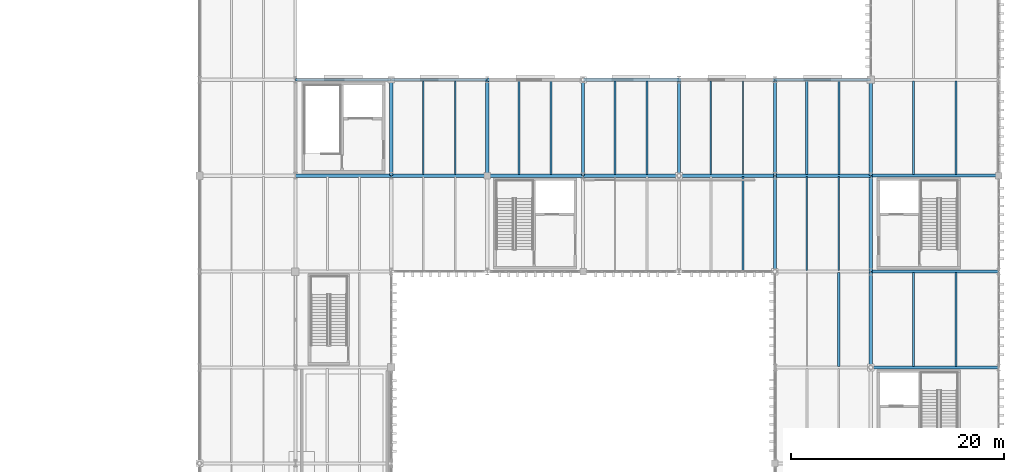
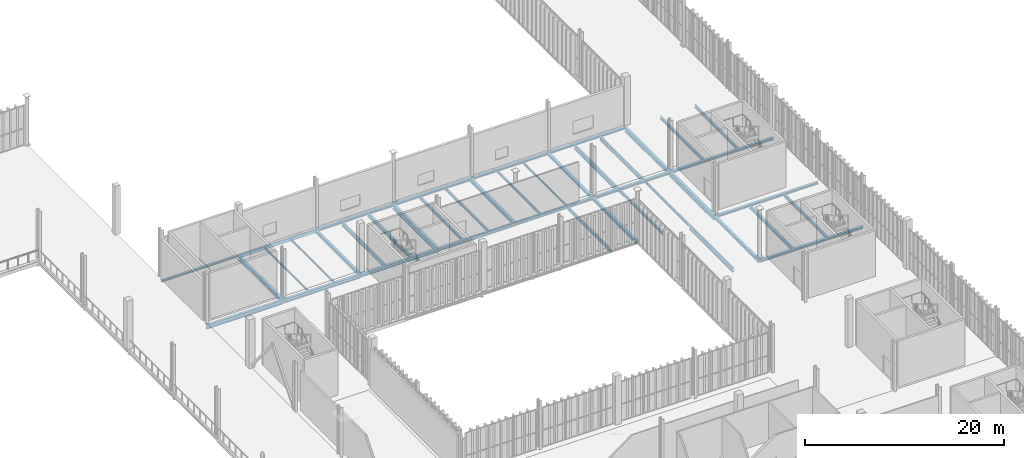
# One storey, part 121 of 211: 42 beams.
"""IFC4 building model written with IfcOpenShell, lengths in metres."""

from ifc_helpers import new_model, si_unit, direction, frame, origin, origin_2d, place, context, subcontext, project, spatial, hollow_rectangle, i_section, extrude, material, material_profile, profile_set, type_object, element, save


model = new_model("IFC4")

# Units and contexts
model_context = context("Model", 3, precision=1e-05, world=origin(), true_north=direction((0.0, 1.0)))
body_context = subcontext(model_context, "Body", "Model", "MODEL_VIEW")
ifc_project = project(units=[si_unit("LENGTHUNIT", "METRE"), si_unit("AREAUNIT", "SQUARE_METRE"), si_unit("VOLUMEUNIT", "CUBIC_METRE"), si_unit("PLANEANGLEUNIT", "RADIAN"), si_unit("MASSUNIT", "GRAM", prefix="KILO")], contexts=[model_context])

# Site, building, storey
site_placement = place(None, origin())
site = spatial("IfcSite", under=ifc_project, at=site_placement, CompositionType="ELEMENT")
building_placement = place(site_placement, origin())
building = spatial("IfcBuilding", under=site, at=building_placement, Name="Barlavento Convention Centre", CompositionType="ELEMENT")
storey_placement = place(building_placement, frame((0.0, 0.0, 6.0)))
storey = spatial("IfcBuildingStorey", under=building, at=storey_placement, Name="L01", CompositionType="ELEMENT", Elevation=6.0)

# Beams
ifc_material = material(Name="Steel S355", Category="steel")
ifc_material_profile_1 = material_profile(ifc_material, i_section(OverallWidth=0.110107421875, OverallDepth=0.219970703125, WebThickness=0.005859375, FlangeThickness=0.00927734375, FilletRadius=0.011962890625, at=origin_2d()), Name="IPE 220")
ifc_profile_set_1 = profile_set([ifc_material_profile_1], Name="Steel S355")
beam_type_1 = type_object("IfcBeamType", Name="STR-BM-JST-IPE220", PredefinedType="JOIST", material=ifc_profile_set_1)
beam_1_placement = place(storey_placement, frame((141.0, 99.094970703125, -0.469970703125), z_axis=(0.0, 1.0, 0.0), x_axis=(-1.0, 0.0, 0.0)))
element("IfcBeam", 1, at=beam_1_placement, inside=storey, type_object=beam_type_1, Name="L01 composite floor joist SJ10", PredefinedType="JOIST", context=body_context, shape_type="SweptSolid", body=[
    extrude(i_section(OverallWidth=0.110107421875, OverallDepth=0.219970703125, WebThickness=0.005859375, FlangeThickness=0.00927734375, FilletRadius=0.011962890625, at=origin_2d()), origin(), (0.0, 0.0, 1.0), 8.81005859375),
])
ifc_material_profile_2 = material_profile(ifc_material, i_section(OverallWidth=0.1201171875, OverallDepth=0.239990234375, WebThickness=0.006103515625, FlangeThickness=0.009765625, FilletRadius=0.014892578125, at=origin_2d()), Name="IPE 240")
ifc_profile_set_2 = profile_set([ifc_material_profile_2], Name="Steel S355")
beam_type_2 = type_object("IfcBeamType", Name="STR-BM-JST-IPE240", PredefinedType="JOIST", material=ifc_profile_set_2)
for number, where, z_axis, x_axis, name in (
    (2, (138.0, 99.094970703125, -0.47998046875), (0.0, 1.0, 0.0), (-1.0, 0.0, 0.0), "L01 composite floor joist SJ09"),
    (3, (168.0, 99.094970703125, -0.47998046875), (0.0, 1.0, 0.0), (-1.0, 0.0, 0.0), "L01 composite floor joist SJ09"),
):
    element("IfcBeam", number, at=place(storey_placement, frame(where, z_axis=z_axis, x_axis=x_axis)), inside=storey, type_object=beam_type_2, Name=name, PredefinedType="JOIST", context=body_context, shape_type="SweptSolid", body=[
        extrude(i_section(OverallWidth=0.1201171875, OverallDepth=0.239990234375, WebThickness=0.006103515625, FlangeThickness=0.009765625, FilletRadius=0.014892578125, at=origin_2d()), origin(), (0.0, 0.0, 1.0), 8.81005859375),
    ])
ifc_material_profile_3 = material_profile(ifc_material, i_section(OverallWidth=0.135009765625, OverallDepth=0.27001953125, WebThickness=0.006591796875, FlangeThickness=0.01025390625, FilletRadius=0.014892578125, at=origin_2d()), Name="IPE 270")
ifc_profile_set_3 = profile_set([ifc_material_profile_3], Name="Steel S355")
beam_type_3 = type_object("IfcBeamType", Name="STR-BM-JST-IPE270", PredefinedType="JOIST", material=ifc_profile_set_3)
beam_2_placement = place(storey_placement, frame((165.0, 99.094970703125, -0.4951171875), z_axis=(0.0, 1.0, 0.0), x_axis=(-1.0, 0.0, 0.0)))
element("IfcBeam", 4, at=beam_2_placement, inside=storey, type_object=beam_type_3, Name="L01 composite floor joist SJ08", PredefinedType="JOIST", context=body_context, shape_type="SweptSolid", body=[
    extrude(i_section(OverallWidth=0.135009765625, OverallDepth=0.27001953125, WebThickness=0.006591796875, FlangeThickness=0.01025390625, FilletRadius=0.014892578125, at=origin_2d()), origin(), (0.0, 0.0, 1.0), 8.81005859375),
])
ifc_material_profile_4 = material_profile(ifc_material, i_section(OverallWidth=0.14990234375, OverallDepth=0.300048828125, WebThickness=0.007080078125, FlangeThickness=0.0107421875, FilletRadius=0.014892578125, at=origin_2d()), Name="IPE 300")
ifc_profile_set_4 = profile_set([ifc_material_profile_4], Name="Steel S355")
beam_type_4 = type_object("IfcBeamType", Name="STR-BM-JST-IPE300", PredefinedType="JOIST", material=ifc_profile_set_4)
beam_3_placement = place(storey_placement, frame((177.0, 90.094970703125, -0.510009765625), z_axis=(0.0, 1.0, 0.0), x_axis=(-1.0, 0.0, 0.0)))
element("IfcBeam", 5, at=beam_3_placement, inside=storey, type_object=beam_type_4, Name="L01 composite floor joist SJ07", PredefinedType="JOIST", context=body_context, shape_type="SweptSolid", body=[
    extrude(i_section(OverallWidth=0.14990234375, OverallDepth=0.300048828125, WebThickness=0.007080078125, FlangeThickness=0.0107421875, FilletRadius=0.014892578125, at=origin_2d()), origin(), (0.0, 0.0, 1.0), 8.81005859375),
])
ifc_material_profile_5 = material_profile(ifc_material, i_section(OverallWidth=0.159912109375, OverallDepth=0.330078125, WebThickness=0.007568359375, FlangeThickness=0.011474609375, FilletRadius=0.01806640625, at=origin_2d()), Name="IPE 330")
ifc_profile_set_5 = profile_set([ifc_material_profile_5], Name="Steel S355")
beam_type_5 = type_object("IfcBeamType", Name="STR-BM-JST-IPE330", PredefinedType="JOIST", material=ifc_profile_set_5)
for number, where, z_axis, x_axis, name in (
    (6, (174.0, 90.094970703125, -0.52490234375), (0.0, 1.0, 0.0), (-1.0, 0.0, 0.0), "L01 composite floor joist SJ06"),
    (7, (159.0, 99.094970703125, -0.52490234375), (0.0, 1.0, 0.0), (-1.0, 0.0, 0.0), "L01 composite floor joist SJ06"),
):
    element("IfcBeam", number, at=place(storey_placement, frame(where, z_axis=z_axis, x_axis=x_axis)), inside=storey, type_object=beam_type_5, Name=name, PredefinedType="JOIST", context=body_context, shape_type="SweptSolid", body=[
        extrude(i_section(OverallWidth=0.159912109375, OverallDepth=0.330078125, WebThickness=0.007568359375, FlangeThickness=0.011474609375, FilletRadius=0.01806640625, at=origin_2d()), origin(), (0.0, 0.0, 1.0), 8.81005859375),
    ])
ifc_material_profile_6 = material_profile(ifc_material, i_section(OverallWidth=0.169921875, OverallDepth=0.360107421875, WebThickness=0.008056640625, FlangeThickness=0.0126953125, FilletRadius=0.01806640625, at=origin_2d()), Name="IPE 360")
ifc_profile_set_6 = profile_set([ifc_material_profile_6], Name="Steel S355")
beam_type_6 = type_object("IfcBeamType", Name="STR-BM-JST-IPE360", PredefinedType="JOIST", material=ifc_profile_set_6)
for number, where, z_axis, x_axis, name in (
    (8, (156.0, 99.094970703125, -0.5400390625), (0.0, 1.0, 0.0), (-1.0, 0.0, 0.0), "L01 composite floor joist SJ05"),
    (9, (188.0, 99.094970703125, -0.5400390625), (0.0, 1.0, 0.0), (-1.0, 0.0, 0.0), "L01 composite floor joist SJ05"),
):
    element("IfcBeam", number, at=place(storey_placement, frame(where, z_axis=z_axis, x_axis=x_axis)), inside=storey, type_object=beam_type_6, Name=name, PredefinedType="JOIST", context=body_context, shape_type="SweptSolid", body=[
        extrude(i_section(OverallWidth=0.169921875, OverallDepth=0.360107421875, WebThickness=0.008056640625, FlangeThickness=0.0126953125, FilletRadius=0.01806640625, at=origin_2d()), origin(), (0.0, 0.0, 1.0), 8.81005859375),
    ])
ifc_material_profile_7 = material_profile(ifc_material, i_section(OverallWidth=0.179931640625, OverallDepth=0.39990234375, WebThickness=0.008544921875, FlangeThickness=0.013427734375, FilletRadius=0.02099609375, at=origin_2d()), Name="IPE 400")
ifc_profile_set_7 = profile_set([ifc_material_profile_7], Name="Steel S355")
beam_type_7 = type_object("IfcBeamType", Name="STR-BM-JST-IPE400", PredefinedType="JOIST", material=ifc_profile_set_7)
for number, where, z_axis, x_axis, name in (
    (10, (188.0, 81.094970703125, -0.56005859375), (0.0, 1.0, 0.0), (-1.0, 0.0, 0.0), "L01 composite floor joist SJ04"),
    (11, (168.0, 90.094970703125, -0.56005859375), (0.0, 1.0, 0.0), (-1.0, 0.0, 0.0), "L01 composite floor joist SJ04"),
    (12, (184.0, 99.094970703125, -0.56005859375), (0.0, 1.0, 0.0), (-1.0, 0.0, 0.0), "L01 composite floor joist SJ04"),
):
    element("IfcBeam", number, at=place(storey_placement, frame(where, z_axis=z_axis, x_axis=x_axis)), inside=storey, type_object=beam_type_7, Name=name, PredefinedType="JOIST", context=body_context, shape_type="SweptSolid", body=[
        extrude(i_section(OverallWidth=0.179931640625, OverallDepth=0.39990234375, WebThickness=0.008544921875, FlangeThickness=0.013427734375, FilletRadius=0.02099609375, at=origin_2d()), origin(), (0.0, 0.0, 1.0), 8.81005859375),
    ])
ifc_material_profile_8 = material_profile(ifc_material, i_section(OverallWidth=0.18994140625, OverallDepth=0.449951171875, WebThickness=0.009521484375, FlangeThickness=0.0146484375, FilletRadius=0.02099609375, at=origin_2d()), Name="IPE 450")
ifc_profile_set_8 = profile_set([ifc_material_profile_8], Name="Steel S355")
beam_type_8 = type_object("IfcBeamType", Name="STR-BM-JST-IPE450", PredefinedType="JOIST", material=ifc_profile_set_8)
for number, where, z_axis, x_axis, name in (
    (13, (184.0, 81.094970703125, -0.5849609375), (0.0, 1.0, 0.0), (-1.0, 0.0, 0.0), "L01 composite floor joist SJ03"),
    (14, (150.0, 99.094970703125, -0.5849609375), (0.0, 1.0, 0.0), (-1.0, 0.0, 0.0), "L01 composite floor joist SJ03"),
):
    element("IfcBeam", number, at=place(storey_placement, frame(where, z_axis=z_axis, x_axis=x_axis)), inside=storey, type_object=beam_type_8, Name=name, PredefinedType="JOIST", context=body_context, shape_type="SweptSolid", body=[
        extrude(i_section(OverallWidth=0.18994140625, OverallDepth=0.449951171875, WebThickness=0.009521484375, FlangeThickness=0.0146484375, FilletRadius=0.02099609375, at=origin_2d()), origin(), (0.0, 0.0, 1.0), 8.81005859375),
    ])
ifc_material_profile_9 = material_profile(ifc_material, i_section(OverallWidth=0.199951171875, OverallDepth=0.5, WebThickness=0.01025390625, FlangeThickness=0.01611328125, FilletRadius=0.02099609375, at=origin_2d()), Name="IPE 500")
ifc_profile_set_9 = profile_set([ifc_material_profile_9], Name="Steel S355")
beam_type_9 = type_object("IfcBeamType", Name="STR-BM-JST-IPE500", PredefinedType="JOIST", material=ifc_profile_set_9)
for number, where, z_axis, x_axis, name in (
    (15, (147.0, 99.094970703125, -0.610107421875), (0.0, 1.0, 0.0), (-1.0, 0.0, 0.0), "L01 composite floor joist SJ02"),
    (16, (177.0, 99.094970703125, -0.610107421875), (0.0, 1.0, 0.0), (-1.0, 0.0, 0.0), "L01 composite floor joist SJ02"),
):
    element("IfcBeam", number, at=place(storey_placement, frame(where, z_axis=z_axis, x_axis=x_axis)), inside=storey, type_object=beam_type_9, Name=name, PredefinedType="JOIST", context=body_context, shape_type="SweptSolid", body=[
        extrude(i_section(OverallWidth=0.199951171875, OverallDepth=0.5, WebThickness=0.01025390625, FlangeThickness=0.01611328125, FilletRadius=0.02099609375, at=origin_2d()), origin(), (0.0, 0.0, 1.0), 8.81005859375),
    ])
ifc_material_profile_10 = material_profile(ifc_material, i_section(OverallWidth=0.2099609375, OverallDepth=0.550048828125, WebThickness=0.010986328125, FlangeThickness=0.01708984375, FilletRadius=0.02392578125, at=origin_2d()), Name="IPE 550")
ifc_profile_set_10 = profile_set([ifc_material_profile_10], Name="Steel S355")
beam_type_10 = type_object("IfcBeamType", Name="STR-BM-JST-IPE550", PredefinedType="JOIST", material=ifc_profile_set_10)
for number, where, z_axis, x_axis, name in (
    (17, (177.0, 81.094970703125, -0.635009765625), (0.0, 1.0, 0.0), (-1.0, 0.0, 0.0), "L01 composite floor joist SJ01"),
    (18, (174.0, 99.094970703125, -0.635009765625), (0.0, 1.0, 0.0), (-1.0, 0.0, 0.0), "L01 composite floor joist SJ01"),
):
    element("IfcBeam", number, at=place(storey_placement, frame(where, z_axis=z_axis, x_axis=x_axis)), inside=storey, type_object=beam_type_10, Name=name, PredefinedType="JOIST", context=body_context, shape_type="SweptSolid", body=[
        extrude(i_section(OverallWidth=0.2099609375, OverallDepth=0.550048828125, WebThickness=0.010986328125, FlangeThickness=0.01708984375, FilletRadius=0.02392578125, at=origin_2d()), origin(), (0.0, 0.0, 1.0), 8.81005859375),
    ])
ifc_material_profile_11 = material_profile(ifc_material, i_section(OverallWidth=0.300048828125, OverallDepth=0.330078125, WebThickness=0.009521484375, FlangeThickness=0.0166015625, FilletRadius=0.027099609375, at=origin_2d()), Name="HEA 340")
ifc_profile_set_11 = profile_set([ifc_material_profile_11], Name="Steel S355")
beam_type_11 = type_object("IfcBeamType", Name="STR-BM-PRI-HEA340", PredefinedType="BEAM", material=ifc_profile_set_11)
for number, where, z_axis, x_axis, name in (
    (19, (180.0, 81.02001953125, -0.52490234375), (0.0, 1.0, 0.0), (-1.0, 0.0, 0.0), "L01 grid girder BG24"),
    (20, (171.0, 99.02001953125, -0.52490234375), (0.0, 1.0, 0.0), (-1.0, 0.0, 0.0), "L01 grid girder BG24"),
):
    element("IfcBeam", number, at=place(storey_placement, frame(where, z_axis=z_axis, x_axis=x_axis)), inside=storey, type_object=beam_type_11, Name=name, PredefinedType="BEAM", context=body_context, shape_type="SweptSolid", body=[
        extrude(i_section(OverallWidth=0.300048828125, OverallDepth=0.330078125, WebThickness=0.009521484375, FlangeThickness=0.0166015625, FilletRadius=0.027099609375, at=origin_2d()), origin(), (0.0, 0.0, 1.0), 8.9599609375),
    ])
ifc_material_profile_12 = material_profile(ifc_material, i_section(OverallWidth=0.300048828125, OverallDepth=0.35009765625, WebThickness=0.010009765625, FlangeThickness=0.017578125, FilletRadius=0.027099609375, at=origin_2d()), Name="HEA 360")
ifc_profile_set_12 = profile_set([ifc_material_profile_12], Name="Steel S355")
beam_type_12 = type_object("IfcBeamType", Name="STR-BM-PRI-HEA360", PredefinedType="BEAM", material=ifc_profile_set_12)
for number, where, z_axis, x_axis, name in (
    (21, (171.0, 90.02001953125, -0.534912109375), (0.0, 1.0, 0.0), (-1.0, 0.0, 0.0), "L01 grid girder BG23"),
    (22, (144.0, 99.02001953125, -0.534912109375), (0.0, 1.0, 0.0), (-1.0, 0.0, 0.0), "L01 grid girder BG23"),
):
    element("IfcBeam", number, at=place(storey_placement, frame(where, z_axis=z_axis, x_axis=x_axis)), inside=storey, type_object=beam_type_12, Name=name, PredefinedType="BEAM", context=body_context, shape_type="SweptSolid", body=[
        extrude(i_section(OverallWidth=0.300048828125, OverallDepth=0.35009765625, WebThickness=0.010009765625, FlangeThickness=0.017578125, FilletRadius=0.027099609375, at=origin_2d()), origin(), (0.0, 0.0, 1.0), 8.9599609375),
    ])
ifc_material_profile_13 = material_profile(ifc_material, i_section(OverallWidth=0.300048828125, OverallDepth=0.43994140625, WebThickness=0.011474609375, FlangeThickness=0.02099609375, FilletRadius=0.027099609375, at=origin_2d()), Name="HEA 450")
ifc_profile_set_13 = profile_set([ifc_material_profile_13], Name="Steel S355")
beam_type_13 = type_object("IfcBeamType", Name="STR-BM-PRI-HEA450", PredefinedType="BEAM", material=ifc_profile_set_13)
beam_4_placement = place(storey_placement, frame((162.0, 99.02001953125, -0.580078125), z_axis=(0.0, 1.0, 0.0), x_axis=(-1.0, 0.0, 0.0)))
element("IfcBeam", 23, at=beam_4_placement, inside=storey, type_object=beam_type_13, Name="L01 grid girder BG21", PredefinedType="BEAM", context=body_context, shape_type="SweptSolid", body=[
    extrude(i_section(OverallWidth=0.300048828125, OverallDepth=0.43994140625, WebThickness=0.011474609375, FlangeThickness=0.02099609375, FilletRadius=0.027099609375, at=origin_2d()), origin(), (0.0, 0.0, 1.0), 8.9599609375),
])
ifc_material_profile_14 = material_profile(ifc_material, i_section(OverallWidth=0.300048828125, OverallDepth=0.489990234375, WebThickness=0.011962890625, FlangeThickness=0.02294921875, FilletRadius=0.027099609375, at=origin_2d()), Name="HEA 500")
ifc_profile_set_14 = profile_set([ifc_material_profile_14], Name="Steel S355")
beam_type_14 = type_object("IfcBeamType", Name="STR-BM-PRI-HEA500", PredefinedType="BEAM", material=ifc_profile_set_14)
beam_5_placement = place(storey_placement, frame((135.0, 99.02001953125, -0.60498046875), z_axis=(0.0, 1.0, 0.0), x_axis=(-1.0, 0.0, 0.0)))
element("IfcBeam", 24, at=beam_5_placement, inside=storey, type_object=beam_type_14, Name="L01 grid girder BG20", PredefinedType="BEAM", context=body_context, shape_type="SweptSolid", body=[
    extrude(i_section(OverallWidth=0.300048828125, OverallDepth=0.489990234375, WebThickness=0.011962890625, FlangeThickness=0.02294921875, FilletRadius=0.027099609375, at=origin_2d()), origin(), (0.0, 0.0, 1.0), 8.9599609375),
])
ifc_material_profile_15 = material_profile(ifc_material, i_section(OverallWidth=0.300048828125, OverallDepth=0.5400390625, WebThickness=0.012451171875, FlangeThickness=0.02392578125, FilletRadius=0.027099609375, at=origin_2d()), Name="HEA 550")
ifc_profile_set_15 = profile_set([ifc_material_profile_15], Name="Steel S355")
beam_type_15 = type_object("IfcBeamType", Name="STR-BM-PRI-HEA550", PredefinedType="BEAM", material=ifc_profile_set_15)
beam_6_placement = place(storey_placement, frame((180.0, 99.02001953125, -0.6298828125), z_axis=(0.0, 1.0, 0.0), x_axis=(-1.0, 0.0, 0.0)))
element("IfcBeam", 25, at=beam_6_placement, inside=storey, type_object=beam_type_15, Name="L01 grid girder BG19", PredefinedType="BEAM", context=body_context, shape_type="SweptSolid", body=[
    extrude(i_section(OverallWidth=0.300048828125, OverallDepth=0.5400390625, WebThickness=0.012451171875, FlangeThickness=0.02392578125, FilletRadius=0.027099609375, at=origin_2d()), origin(), (0.0, 0.0, 1.0), 8.9599609375),
])
ifc_material_profile_16 = material_profile(ifc_material, i_section(OverallWidth=0.300048828125, OverallDepth=0.590087890625, WebThickness=0.012939453125, FlangeThickness=0.02490234375, FilletRadius=0.027099609375, at=origin_2d()), Name="HEA 600")
ifc_profile_set_16 = profile_set([ifc_material_profile_16], Name="Steel S355")
beam_type_16 = type_object("IfcBeamType", Name="STR-BM-PRI-HEA600", PredefinedType="BEAM", material=ifc_profile_set_16)
for number, where, z_axis, x_axis, name in (
    (26, (180.0, 90.02001953125, -0.655029296875), (0.0, 1.0, 0.0), (-1.0, 0.0, 0.0), "L01 grid girder BG18"),
    (27, (153.0, 99.02001953125, -0.655029296875), (0.0, 1.0, 0.0), (-1.0, 0.0, 0.0), "L01 grid girder BG18"),
):
    element("IfcBeam", number, at=place(storey_placement, frame(where, z_axis=z_axis, x_axis=x_axis)), inside=storey, type_object=beam_type_16, Name=name, PredefinedType="BEAM", context=body_context, shape_type="SweptSolid", body=[
        extrude(i_section(OverallWidth=0.300048828125, OverallDepth=0.590087890625, WebThickness=0.012939453125, FlangeThickness=0.02490234375, FilletRadius=0.027099609375, at=origin_2d()), origin(), (0.0, 0.0, 1.0), 8.9599609375),
    ])
ifc_material_profile_17 = material_profile(ifc_material, i_section(OverallWidth=0.280029296875, OverallDepth=0.280029296875, WebThickness=0.010498046875, FlangeThickness=0.01806640625, FilletRadius=0.02392578125, at=origin_2d()), Name="HEB 280")
ifc_profile_set_17 = profile_set([ifc_material_profile_17], Name="Steel S355")
beam_type_17 = type_object("IfcBeamType", Name="STR-BM-PRI-HEB280", PredefinedType="BEAM", material=ifc_profile_set_17)
for number, where, z_axis, x_axis, name in (
    (28, (180.02001953125, 81.0, -0.5), (1.0, 0.0, 0.0), (0.0, 1.0, 0.0), "L01 primary girder BG15"),
    (29, (180.02001953125, 90.0, -0.5), (1.0, 0.0, 0.0), (0.0, 1.0, 0.0), "L01 primary girder BG15"),
    (30, (180.02001953125, 99.0, -0.5), (1.0, 0.0, 0.0), (0.0, 1.0, 0.0), "L01 primary girder BG15"),
):
    element("IfcBeam", number, at=place(storey_placement, frame(where, z_axis=z_axis, x_axis=x_axis)), inside=storey, type_object=beam_type_17, Name=name, PredefinedType="BEAM", context=body_context, shape_type="SweptSolid", body=[
        extrude(i_section(OverallWidth=0.280029296875, OverallDepth=0.280029296875, WebThickness=0.010498046875, FlangeThickness=0.01806640625, FilletRadius=0.02392578125, at=origin_2d()), origin(), (0.0, 0.0, 1.0), 11.9599609375),
    ])
ifc_material_profile_18 = material_profile(ifc_material, i_section(OverallWidth=0.300048828125, OverallDepth=0.300048828125, WebThickness=0.010986328125, FlangeThickness=0.01904296875, FilletRadius=0.027099609375, at=origin_2d()), Name="HEB 300")
ifc_profile_set_18 = profile_set([ifc_material_profile_18], Name="Steel S355")
beam_type_18 = type_object("IfcBeamType", Name="STR-BM-PRI-HEB300", PredefinedType="BEAM", material=ifc_profile_set_18)
beam_7_placement = place(storey_placement, frame((171.02001953125, 99.0, -0.510009765625), z_axis=(1.0, 0.0, 0.0), x_axis=(0.0, 1.0, 0.0)))
element("IfcBeam", 31, at=beam_7_placement, inside=storey, type_object=beam_type_18, Name="L01 primary girder BG14", PredefinedType="BEAM", context=body_context, shape_type="SweptSolid", body=[
    extrude(i_section(OverallWidth=0.300048828125, OverallDepth=0.300048828125, WebThickness=0.010986328125, FlangeThickness=0.01904296875, FilletRadius=0.027099609375, at=origin_2d()), origin(), (0.0, 0.0, 1.0), 8.9599609375),
])
ifc_material_profile_19 = material_profile(ifc_material, i_section(OverallWidth=0.300048828125, OverallDepth=0.320068359375, WebThickness=0.011474609375, FlangeThickness=0.0205078125, FilletRadius=0.027099609375, at=origin_2d()), Name="HEB 320")
ifc_profile_set_19 = profile_set([ifc_material_profile_19], Name="Steel S355")
beam_type_19 = type_object("IfcBeamType", Name="STR-BM-PRI-HEB320", PredefinedType="BEAM", material=ifc_profile_set_19)
beam_8_placement = place(storey_placement, frame((162.02001953125, 99.0, -0.52001953125), z_axis=(1.0, 0.0, 0.0), x_axis=(0.0, 1.0, 0.0)))
element("IfcBeam", 32, at=beam_8_placement, inside=storey, type_object=beam_type_19, Name="L01 primary girder BG13", PredefinedType="BEAM", context=body_context, shape_type="SweptSolid", body=[
    extrude(i_section(OverallWidth=0.300048828125, OverallDepth=0.320068359375, WebThickness=0.011474609375, FlangeThickness=0.0205078125, FilletRadius=0.027099609375, at=origin_2d()), origin(), (0.0, 0.0, 1.0), 8.9599609375),
])
ifc_material_profile_20 = material_profile(ifc_material, i_section(OverallWidth=0.300048828125, OverallDepth=0.360107421875, WebThickness=0.012451171875, FlangeThickness=0.0224609375, FilletRadius=0.027099609375, at=origin_2d()), Name="HEB 360")
ifc_profile_set_20 = profile_set([ifc_material_profile_20], Name="Steel S355")
beam_type_20 = type_object("IfcBeamType", Name="STR-BM-PRI-HEB360", PredefinedType="BEAM", material=ifc_profile_set_20)
beam_9_placement = place(storey_placement, frame((153.02001953125, 99.0, -0.5400390625), z_axis=(1.0, 0.0, 0.0), x_axis=(0.0, 1.0, 0.0)))
element("IfcBeam", 33, at=beam_9_placement, inside=storey, type_object=beam_type_20, Name="L01 primary girder BG12", PredefinedType="BEAM", context=body_context, shape_type="SweptSolid", body=[
    extrude(i_section(OverallWidth=0.300048828125, OverallDepth=0.360107421875, WebThickness=0.012451171875, FlangeThickness=0.0224609375, FilletRadius=0.027099609375, at=origin_2d()), origin(), (0.0, 0.0, 1.0), 8.9599609375),
])
ifc_material_profile_21 = material_profile(ifc_material, i_section(OverallWidth=0.300048828125, OverallDepth=0.39990234375, WebThickness=0.013427734375, FlangeThickness=0.02392578125, FilletRadius=0.027099609375, at=origin_2d()), Name="HEB 400")
ifc_profile_set_21 = profile_set([ifc_material_profile_21], Name="Steel S355")
beam_type_21 = type_object("IfcBeamType", Name="STR-BM-PRI-HEB400", PredefinedType="BEAM", material=ifc_profile_set_21)
beam_10_placement = place(storey_placement, frame((144.02001953125, 99.0, -0.56005859375), z_axis=(1.0, 0.0, 0.0), x_axis=(0.0, 1.0, 0.0)))
element("IfcBeam", 34, at=beam_10_placement, inside=storey, type_object=beam_type_21, Name="L01 primary girder BG11", PredefinedType="BEAM", context=body_context, shape_type="SweptSolid", body=[
    extrude(i_section(OverallWidth=0.300048828125, OverallDepth=0.39990234375, WebThickness=0.013427734375, FlangeThickness=0.02392578125, FilletRadius=0.027099609375, at=origin_2d()), origin(), (0.0, 0.0, 1.0), 8.9599609375),
])
ifc_material_profile_22 = material_profile(ifc_material, i_section(OverallWidth=0.300048828125, OverallDepth=0.449951171875, WebThickness=0.013916015625, FlangeThickness=0.02587890625, FilletRadius=0.027099609375, at=origin_2d()), Name="HEB 450")
ifc_profile_set_22 = profile_set([ifc_material_profile_22], Name="Steel S355")
beam_type_22 = type_object("IfcBeamType", Name="STR-BM-PRI-HEB450", PredefinedType="BEAM", material=ifc_profile_set_22)
beam_11_placement = place(storey_placement, frame((135.02001953125, 99.0, -0.5849609375), z_axis=(1.0, 0.0, 0.0), x_axis=(0.0, 1.0, 0.0)))
element("IfcBeam", 35, at=beam_11_placement, inside=storey, type_object=beam_type_22, Name="L01 primary girder BG10", PredefinedType="BEAM", context=body_context, shape_type="SweptSolid", body=[
    extrude(i_section(OverallWidth=0.300048828125, OverallDepth=0.449951171875, WebThickness=0.013916015625, FlangeThickness=0.02587890625, FilletRadius=0.027099609375, at=origin_2d()), origin(), (0.0, 0.0, 1.0), 8.9599609375),
])
ifc_material_profile_23 = material_profile(ifc_material, i_section(OverallWidth=0.300048828125, OverallDepth=0.5, WebThickness=0.014404296875, FlangeThickness=0.028076171875, FilletRadius=0.027099609375, at=origin_2d()), Name="HEB 500")
ifc_profile_set_23 = profile_set([ifc_material_profile_23], Name="Steel S355")
beam_type_23 = type_object("IfcBeamType", Name="STR-BM-PRI-HEB500", PredefinedType="BEAM", material=ifc_profile_set_23)
beam_12_placement = place(storey_placement, frame((126.02001953125, 99.0, -0.610107421875), z_axis=(1.0, 0.0, 0.0), x_axis=(0.0, 1.0, 0.0)))
element("IfcBeam", 36, at=beam_12_placement, inside=storey, type_object=beam_type_23, Name="L01 primary girder BG09", PredefinedType="BEAM", context=body_context, shape_type="SweptSolid", body=[
    extrude(i_section(OverallWidth=0.300048828125, OverallDepth=0.5, WebThickness=0.014404296875, FlangeThickness=0.028076171875, FilletRadius=0.027099609375, at=origin_2d()), origin(), (0.0, 0.0, 1.0), 8.9599609375),
])
ifc_material_profile_24 = material_profile(ifc_material, i_section(OverallWidth=0.239990234375, OverallDepth=0.22998046875, WebThickness=0.007568359375, FlangeThickness=0.011962890625, FilletRadius=0.02099609375, at=origin_2d()), Name="HEA 240")
ifc_profile_set_24 = profile_set([ifc_material_profile_24], Name="Steel S355")
beam_type_24 = type_object("IfcBeamType", Name="STR-BM-SPN-HEA240", PredefinedType="SPANDREL", material=ifc_profile_set_24)
beam_13_placement = place(storey_placement, frame((126.02001953125, 108.0, -0.445068359375), z_axis=(1.0, 0.0, 0.0), x_axis=(0.0, 1.0, 0.0)))
element("IfcBeam", 37, at=beam_13_placement, inside=storey, type_object=beam_type_24, Name="L01 primary girder SP05", PredefinedType="SPANDREL", context=body_context, shape_type="SweptSolid", body=[
    extrude(i_section(OverallWidth=0.239990234375, OverallDepth=0.22998046875, WebThickness=0.007568359375, FlangeThickness=0.011962890625, FilletRadius=0.02099609375, at=origin_2d()), origin(), (0.0, 0.0, 1.0), 8.9599609375),
])
ifc_material_profile_25 = material_profile(ifc_material, i_section(OverallWidth=0.260009765625, OverallDepth=0.25, WebThickness=0.007568359375, FlangeThickness=0.012451171875, FilletRadius=0.02392578125, at=origin_2d()), Name="HEA 260")
ifc_profile_set_25 = profile_set([ifc_material_profile_25], Name="Steel S355")
beam_type_25 = type_object("IfcBeamType", Name="STR-BM-SPN-HEA260", PredefinedType="SPANDREL", material=ifc_profile_set_25)
beam_14_placement = place(storey_placement, frame((171.02001953125, 108.0, -0.455078125), z_axis=(1.0, 0.0, 0.0), x_axis=(0.0, 1.0, 0.0)))
element("IfcBeam", 38, at=beam_14_placement, inside=storey, type_object=beam_type_25, Name="L01 primary girder SP04", PredefinedType="SPANDREL", context=body_context, shape_type="SweptSolid", body=[
    extrude(i_section(OverallWidth=0.260009765625, OverallDepth=0.25, WebThickness=0.007568359375, FlangeThickness=0.012451171875, FilletRadius=0.02392578125, at=origin_2d()), origin(), (0.0, 0.0, 1.0), 8.9599609375),
])
ifc_material_profile_26 = material_profile(ifc_material, i_section(OverallWidth=0.280029296875, OverallDepth=0.27001953125, WebThickness=0.008056640625, FlangeThickness=0.012939453125, FilletRadius=0.02392578125, at=origin_2d()), Name="HEA 280")
ifc_profile_set_26 = profile_set([ifc_material_profile_26], Name="Steel S355")
beam_type_26 = type_object("IfcBeamType", Name="STR-BM-SPN-HEA280", PredefinedType="SPANDREL", material=ifc_profile_set_26)
beam_15_placement = place(storey_placement, frame((162.02001953125, 108.0, -0.465087890625), z_axis=(1.0, 0.0, 0.0), x_axis=(0.0, 1.0, 0.0)))
element("IfcBeam", 39, at=beam_15_placement, inside=storey, type_object=beam_type_26, Name="L01 primary girder SP03", PredefinedType="SPANDREL", context=body_context, shape_type="SweptSolid", body=[
    extrude(i_section(OverallWidth=0.280029296875, OverallDepth=0.27001953125, WebThickness=0.008056640625, FlangeThickness=0.012939453125, FilletRadius=0.02392578125, at=origin_2d()), origin(), (0.0, 0.0, 1.0), 8.9599609375),
])
ifc_material_profile_27 = material_profile(ifc_material, i_section(OverallWidth=0.300048828125, OverallDepth=0.2900390625, WebThickness=0.008544921875, FlangeThickness=0.013916015625, FilletRadius=0.027099609375, at=origin_2d()), Name="HEA 300")
ifc_profile_set_27 = profile_set([ifc_material_profile_27], Name="Steel S355")
beam_type_27 = type_object("IfcBeamType", Name="STR-BM-SPN-HEA300", PredefinedType="SPANDREL", material=ifc_profile_set_27)
beam_16_placement = place(storey_placement, frame((153.02001953125, 108.0, -0.47509765625), z_axis=(1.0, 0.0, 0.0), x_axis=(0.0, 1.0, 0.0)))
element("IfcBeam", 40, at=beam_16_placement, inside=storey, type_object=beam_type_27, Name="L01 primary girder SP02", PredefinedType="SPANDREL", context=body_context, shape_type="SweptSolid", body=[
    extrude(i_section(OverallWidth=0.300048828125, OverallDepth=0.2900390625, WebThickness=0.008544921875, FlangeThickness=0.013916015625, FilletRadius=0.027099609375, at=origin_2d()), origin(), (0.0, 0.0, 1.0), 8.9599609375),
])
ifc_material_profile_28 = material_profile(ifc_material, i_section(OverallWidth=0.300048828125, OverallDepth=0.31005859375, WebThickness=0.009033203125, FlangeThickness=0.015380859375, FilletRadius=0.027099609375, at=origin_2d()), Name="HEA 320")
ifc_profile_set_28 = profile_set([ifc_material_profile_28], Name="Steel S355")
beam_type_28 = type_object("IfcBeamType", Name="STR-BM-SPN-HEA320", PredefinedType="SPANDREL", material=ifc_profile_set_28)
beam_17_placement = place(storey_placement, frame((144.02001953125, 108.0, -0.485107421875), z_axis=(1.0, 0.0, 0.0), x_axis=(0.0, 1.0, 0.0)))
element("IfcBeam", 41, at=beam_17_placement, inside=storey, type_object=beam_type_28, Name="L01 primary girder SP01", PredefinedType="SPANDREL", context=body_context, shape_type="SweptSolid", body=[
    extrude(i_section(OverallWidth=0.300048828125, OverallDepth=0.31005859375, WebThickness=0.009033203125, FlangeThickness=0.015380859375, FilletRadius=0.027099609375, at=origin_2d()), origin(), (0.0, 0.0, 1.0), 8.9599609375),
])
ifc_material_profile_29 = material_profile(ifc_material, hollow_rectangle(XDim=0.199951171875, YDim=0.39990234375, WallThickness=0.01611328125, at=origin_2d()), Name="RHS 400x200x16.0")
ifc_profile_set_29 = profile_set([ifc_material_profile_29], Name="Steel S355")
beam_type_29 = type_object("IfcBeamType", Name="STR-BM-SPN-RHS400", PredefinedType="SPANDREL", material=ifc_profile_set_29)
beam_18_placement = place(storey_placement, frame((135.02001953125, 108.0, -0.530029296875), z_axis=(1.0, 0.0, 0.0), x_axis=(0.0, 1.0, 0.0)))
element("IfcBeam", 42, at=beam_18_placement, inside=storey, type_object=beam_type_29, Name="L01 primary girder SP06", PredefinedType="SPANDREL", context=body_context, shape_type="SweptSolid", body=[
    extrude(hollow_rectangle(XDim=0.199951171875, YDim=0.39990234375, WallThickness=0.01611328125, at=origin_2d()), origin(), (0.0, 0.0, 1.0), 8.9599609375),
])

save(model, "model.ifc")
